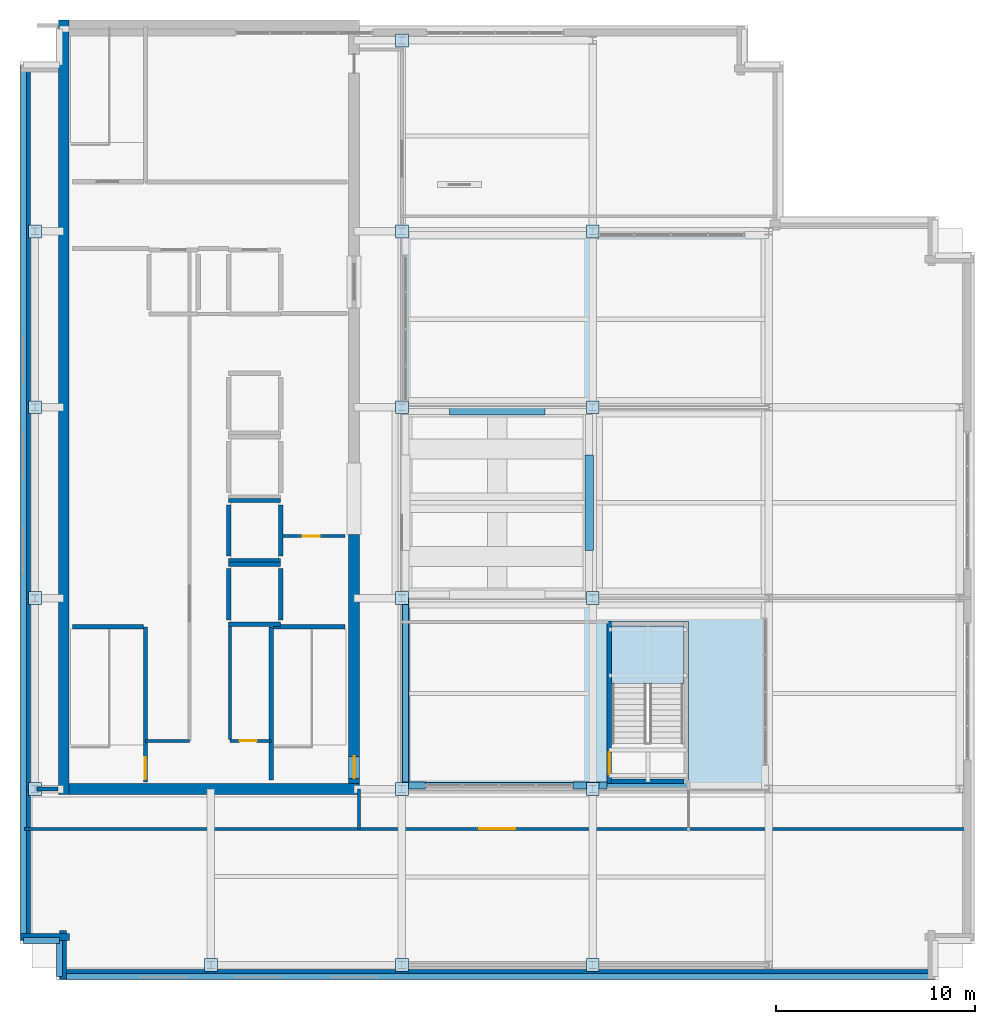
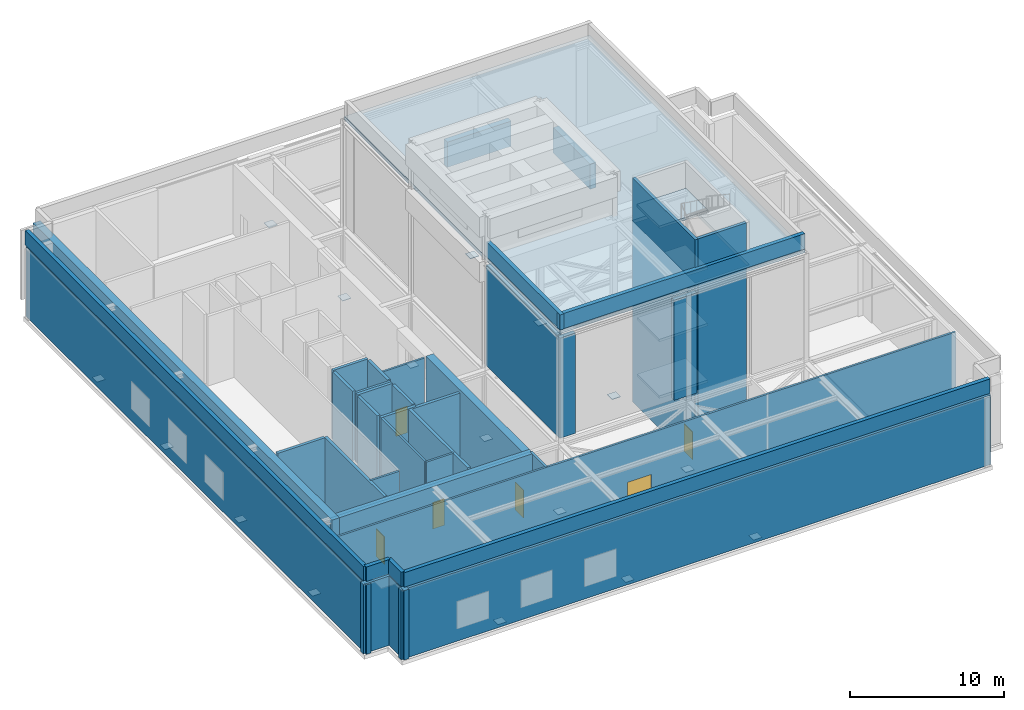
# One storey, part 5 of 17: 37 walls, 18 plates, 6 doors, 5 slabs, 6 openings, 1 element without a shape of its own.
"""IFC4 building model written with IfcOpenShell, lengths in metres."""

import ifcopenshell
import ifcopenshell.guid

model = None  # the IFC model being written
_history = None  # IfcOwnerHistory: only IFC2X3 demands one
_inside = {}  # id of a spatial element -> (the spatial element, [elements in it])
_under = {}  # id of a project, library or spatial element -> (it, [spatial elements below it])
_declared = {}  # id of a project -> (the project, [libraries it declares])
_typed = {}  # id of a type object -> (the type object, [elements of that type])
_made_of = {}  # id of a material, layer set ... -> (it, [elements and type objects made of it])


def new_model(schema):
    """Start an empty IFC model of exactly this schema.

    Asked for "IFC4X3", IfcOpenShell would pick the latest addendum, in which some entities
    have other attributes; the version numbers below select the first issue.
    IFC2X3 requires an IfcOwnerHistory on every rooted entity: one is made here for all.
    """
    global model, _history
    if schema == "IFC4X3":
        model = ifcopenshell.file(schema_version=(4, 3, 0, 0))
    else:
        model = ifcopenshell.file(schema=schema)
    _inside.clear()
    _under.clear()
    _declared.clear()
    _typed.clear()
    _made_of.clear()
    _history = None
    if model.schema == "IFC2X3":
        org = make("IfcOrganization", Name="unknown")
        user = make(
            "IfcPersonAndOrganization",
            ThePerson=make("IfcPerson", FamilyName="unknown"),
            TheOrganization=org,
        )
        app = make(
            "IfcApplication",
            ApplicationDeveloper=org,
            Version="unknown",
            ApplicationFullName="unknown",
            ApplicationIdentifier="unknown",
        )
        _history = make(
            "IfcOwnerHistory",
            OwningUser=user,
            OwningApplication=app,
            ChangeAction="ADDED",
            CreationDate=0,
        )
    return model


def make(cls, **values):
    """One entity of the class cls with the attributes given. An attribute that is None is left unset."""
    return model.create_entity(
        cls, **{name: value for name, value in values.items() if value is not None}
    )


def rooted(cls, **values):
    """An entity with a GlobalId (a new one), such as an element, a storey or a relation."""
    return make(cls, GlobalId=ifcopenshell.guid.new(), OwnerHistory=_history, **values)


def si_unit(unit_type, name, prefix=None):
    """IfcSIUnit, for example si_unit("LENGTHUNIT", "METRE", prefix="MILLI")."""
    return make("IfcSIUnit", UnitType=unit_type, Prefix=prefix, Name=name)


def assignment(units):
    """IfcUnitAssignment: the units of a project."""
    return None if units is None else make("IfcUnitAssignment", Units=units)


def point(xyz):
    """IfcCartesianPoint."""
    return None if xyz is None else make("IfcCartesianPoint", Coordinates=xyz)


def direction(xyz):
    """IfcDirection."""
    return None if xyz is None else make("IfcDirection", DirectionRatios=xyz)


def frame(location, z_axis=None, x_axis=None):
    """IfcAxis2Placement3D, a coordinate frame: its origin and axes. An axis left out is left unset."""
    return make(
        "IfcAxis2Placement3D",
        Location=point(location),
        Axis=direction(z_axis),
        RefDirection=direction(x_axis),
    )


def frame_2d(location, x_axis=None):
    """IfcAxis2Placement2D, a coordinate frame in the plane: its origin and x axis."""
    return make(
        "IfcAxis2Placement2D", Location=point(location), RefDirection=direction(x_axis)
    )


def origin():
    """The frame at (0, 0, 0) with its axes left unset."""
    return frame((0.0, 0.0, 0.0))


def origin_2d():
    """The frame at (0, 0) in the plane with its x axis left unset."""
    return frame_2d((0.0, 0.0))


def place(relative_to, where):
    """IfcLocalPlacement: puts the frame where relative to a parent placement (None: the world)."""
    return make(
        "IfcLocalPlacement", PlacementRelTo=relative_to, RelativePlacement=where
    )


def context(
    kind, dimensions, precision=None, world=None, true_north=None, identifier=None
):
    """IfcGeometricRepresentationContext, for example the 3D "Model" context."""
    return make(
        "IfcGeometricRepresentationContext",
        ContextIdentifier=identifier,
        ContextType=kind,
        CoordinateSpaceDimension=dimensions,
        Precision=precision,
        WorldCoordinateSystem=world,
        TrueNorth=true_north,
    )


def subcontext(parent, identifier, kind, view, scale=None):
    """IfcGeometricRepresentationSubContext, for example "Body" below "Model"."""
    return make(
        "IfcGeometricRepresentationSubContext",
        ContextIdentifier=identifier,
        ContextType=kind,
        ParentContext=parent,
        TargetScale=scale,
        TargetView=view,
    )


def project(units=None, contexts=None):
    """IfcProject with its units and contexts."""
    return rooted(
        "IfcProject",
        Name="project",
        RepresentationContexts=contexts,
        UnitsInContext=assignment(units),
    )


def spatial(cls, under=None, at=None, **own):
    """A site, building, storey or space (cls), placed at a placement, below another one or the project."""
    s = rooted(cls, ObjectPlacement=at, **own)
    if under is not None:
        _under.setdefault(under.id(), (under, []))[1].append(s)
    return s


def polyline(points):
    """IfcPolyline through the points."""
    return make("IfcPolyline", Points=[point(p) for p in points])


def profile(cls, at=None, kind="AREA", **sizes):
    """A parametric profile (cls). Its sizes go by their IFC names, for example OverallWidth=200.0."""
    return make(cls, ProfileType=kind, Position=at, **sizes)


def rectangle(**sizes):
    """IfcRectangleProfileDef."""
    return profile("IfcRectangleProfileDef", **sizes)


def outline(outer, holes=None, kind="AREA"):
    """IfcArbitraryClosedProfileDef: a profile drawn as a closed curve; with holes, ...WithVoids."""
    if holes is None:
        return make("IfcArbitraryClosedProfileDef", ProfileType=kind, OuterCurve=outer)
    return make(
        "IfcArbitraryProfileDefWithVoids",
        ProfileType=kind,
        OuterCurve=outer,
        InnerCurves=holes,
    )


def extrude(swept, where, along, depth):
    """IfcExtrudedAreaSolid: the profile swept, set in the frame where, extruded along a direction by depth."""
    return make(
        "IfcExtrudedAreaSolid",
        SweptArea=swept,
        Position=where,
        ExtrudedDirection=direction(along),
        Depth=depth,
    )


def shape(context_of_items, identifier, shape_type, items):
    """IfcShapeRepresentation: the items that make up one representation, for example the "Body"."""
    return make(
        "IfcShapeRepresentation",
        ContextOfItems=context_of_items,
        RepresentationIdentifier=identifier,
        RepresentationType=shape_type,
        Items=items,
    )


def material(Name=None, Category=None):
    """IfcMaterial."""
    return make("IfcMaterial", Name=Name, Category=Category)


def layer(
    of_material, thickness, ventilated=None, Name=None, Category=None, Priority=None
):
    """IfcMaterialLayer: one layer of a wall or slab, of a material (None: an air gap)."""
    return make(
        "IfcMaterialLayer",
        Material=of_material,
        LayerThickness=thickness,
        IsVentilated=ventilated,
        Name=Name,
        Category=Category,
        Priority=Priority,
    )


def layer_set(layers, Name=None):
    """IfcMaterialLayerSet."""
    return make("IfcMaterialLayerSet", MaterialLayers=layers, LayerSetName=Name)


def made_of(thing, what):
    """Note that an element or type object is made of a material, layer set ...; save() writes the relation."""
    if what is not None:
        _made_of.setdefault(what.id(), (what, []))[1].append(thing)
    return thing


def type_object(cls, material=None, **own):
    """A type object (cls), such as IfcWallType, which elements share."""
    return made_of(rooted(cls, **own), material)


def element(
    cls,
    number,
    at=None,
    inside=None,
    cuts=None,
    type_object=None,
    material=None,
    context=None,
    identifier="Body",
    shape_type=None,
    held_by="IfcProductDefinitionShape",
    body=None,
    shapes=None,
    **own,
):
    """One element of the class cls, such as IfcWall. Its Tag is "e" and its number.

    at: its placement. inside: the storey or other place that contains it. cuts: it is an
    opening in that element (IfcRelVoidsElement). A single representation is given by context,
    identifier, shape_type and body (its items); several are given by shapes. held_by: the class
    of the entity that holds the representations. save() writes the other relations.
    """
    e = rooted(cls, Tag="e%d" % number, ObjectPlacement=at, **own)
    if body is not None:
        shapes = [shape(context, identifier, shape_type, body)]
    if shapes is not None:
        e.Representation = make(held_by, Representations=shapes)
    if inside is not None:
        _inside.setdefault(inside.id(), (inside, []))[1].append(e)
    if cuts is not None:
        rooted(
            "IfcRelVoidsElement", RelatingBuildingElement=cuts, RelatedOpeningElement=e
        )
    if type_object is not None:
        _typed.setdefault(type_object.id(), (type_object, []))[1].append(e)
    return made_of(e, material)


def fill(opening, filler):
    """IfcRelFillsElement: the door or window that sits in an opening."""
    return rooted(
        "IfcRelFillsElement",
        RelatingOpeningElement=opening,
        RelatedBuildingElement=filler,
    )


def aggregate(whole, parts):
    """IfcRelAggregates: a whole, such as a stair, and the parts it consists of."""
    return rooted("IfcRelAggregates", RelatingObject=whole, RelatedObjects=parts)


def save(model, path):
    """Write the relations noted so far, then the file.

    IfcRelAggregates (storeys below a building ...), IfcRelContainedInSpatialStructure (elements
    in a storey), IfcRelDefinesByType, IfcRelAssociatesMaterial and IfcRelDeclares: one each for
    every whole, place, type object, material and project.
    """
    for whole, parts in _under.values():
        aggregate(whole, parts)
    for where, things in _inside.values():
        rooted(
            "IfcRelContainedInSpatialStructure",
            RelatedElements=things,
            RelatingStructure=where,
        )
    for kind, things in _typed.values():
        rooted("IfcRelDefinesByType", RelatedObjects=things, RelatingType=kind)
    for what, things in _made_of.values():
        rooted("IfcRelAssociatesMaterial", RelatedObjects=things, RelatingMaterial=what)
    for by, libraries in _declared.values():
        rooted("IfcRelDeclares", RelatingContext=by, RelatedDefinitions=libraries)
    model.write(path)


model = new_model("IFC4")

# Units and contexts
model_context = context("Model", 3, precision=1e-05, world=origin(), true_north=direction((0.0, 1.0)))
body_context = subcontext(model_context, "Body", "Model", "MODEL_VIEW")
ifc_project = project(units=[si_unit("LENGTHUNIT", "METRE"), si_unit("AREAUNIT", "SQUARE_METRE"), si_unit("VOLUMEUNIT", "CUBIC_METRE"), si_unit("PLANEANGLEUNIT", "RADIAN"), si_unit("MASSUNIT", "GRAM", prefix="KILO")], contexts=[model_context])

# Site, building, storey
site_placement = place(None, origin())
site = spatial("IfcSite", under=ifc_project, at=site_placement, CompositionType="ELEMENT")
building_placement = place(site_placement, origin())
building = spatial("IfcBuilding", under=site, at=building_placement, Name="Norrvale University Quadrangle", CompositionType="ELEMENT")
storey_placement = place(building_placement, frame((0.0, 0.0, 308.0)))
storey = spatial("IfcBuildingStorey", under=building, at=storey_placement, Name="L78", CompositionType="ELEMENT", Elevation=308.0)

# Plates
ifc_material_1 = material(Name="Steel 350W", Category="steel")
ifc_layer_1 = layer(ifc_material_1, 0.0400390625, Name="Steel 350W")
ifc_layer_set_1 = layer_set([ifc_layer_1], Name="Steel 350W")
plate_type_1 = type_object("IfcPlateType", Name="Plate Base Plate 40", PredefinedType="USERDEFINED", material=ifc_layer_set_1)
for number, where, z_axis, x_axis, name in (
    (1, (0.75, 9.60009765625, -0.005126953125), (0.0, 0.0, 1.0), (1.0, 0.0, 0.0), "Crown Column Base Plate 01"),
    (2, (0.75, 19.199951171875, -0.005126953125), (0.0, 0.0, 1.0), (1.0, 0.0, 0.0), "Crown Column Base Plate 02"),
    (3, (0.75, 28.800048828125, -0.005126953125), (0.0, 0.0, 1.0), (1.0, 0.0, 0.0), "Crown Column Base Plate 03"),
    (4, (0.75, 37.64990234375, -0.005126953125), (0.0, 0.0, 1.0), (1.0, 0.0, 0.0), "Crown Column Base Plate 04"),
    (5, (9.60009765625, 0.75, -0.005126953125), (0.0, 0.0, 1.0), (1.0, 0.0, 0.0), "Crown Column Base Plate 05"),
    (6, (19.199951171875, 0.75, -0.005126953125), (0.0, 0.0, 1.0), (1.0, 0.0, 0.0), "Crown Column Base Plate 06"),
    (7, (19.199951171875, 9.60009765625, -0.005126953125), (0.0, 0.0, 1.0), (1.0, 0.0, 0.0), "Crown Column Base Plate 07"),
    (8, (19.199951171875, 19.199951171875, -0.005126953125), (0.0, 0.0, 1.0), (1.0, 0.0, 0.0), "Crown Column Base Plate 08"),
    (9, (19.199951171875, 28.800048828125, -0.005126953125), (0.0, 0.0, 1.0), (1.0, 0.0, 0.0), "Crown Column Base Plate 09"),
    (10, (19.199951171875, 37.64990234375, -0.005126953125), (0.0, 0.0, 1.0), (1.0, 0.0, 0.0), "Crown Column Base Plate 10"),
    (11, (19.199951171875, 47.25, -0.005126953125), (0.0, 0.0, 1.0), (1.0, 0.0, 0.0), "Crown Column Base Plate 11"),
    (12, (28.800048828125, 0.75, -0.005126953125), (0.0, 0.0, 1.0), (1.0, 0.0, 0.0), "Crown Column Base Plate 12"),
    (13, (28.800048828125, 9.60009765625, -0.005126953125), (0.0, 0.0, 1.0), (1.0, 0.0, 0.0), "Crown Column Base Plate 13"),
    (14, (28.800048828125, 19.199951171875, -0.005126953125), (0.0, 0.0, 1.0), (1.0, 0.0, 0.0), "Crown Column Base Plate 14"),
    (15, (28.800048828125, 28.800048828125, -0.005126953125), (0.0, 0.0, 1.0), (1.0, 0.0, 0.0), "Crown Column Base Plate 15"),
    (16, (28.800048828125, 37.64990234375, -0.005126953125), (0.0, 0.0, 1.0), (1.0, 0.0, 0.0), "Crown Column Base Plate 16"),
):
    element("IfcPlate", number, at=place(storey_placement, frame(where, z_axis=z_axis, x_axis=x_axis)), inside=storey, type_object=plate_type_1, Name=name, ObjectType="BASE_PLATE", PredefinedType="USERDEFINED", context=body_context, shape_type="SweptSolid", body=[
        extrude(rectangle(XDim=0.64990234375, YDim=0.64990234375, at=origin_2d()), origin(), (0.0, 0.0, 1.0), 0.0400390625),
    ])
ifc_material_2 = material(Name="Perforated Acoustic Aluminium Screen", Category="aluminium")
ifc_layer_2 = layer(ifc_material_2, 0.06005859375, Name="Perforated Acoustic Aluminium Screen")
ifc_layer_set_2 = layer_set([ifc_layer_2], Name="Perforated Acoustic Aluminium Screen")
plate_type_2 = type_object("IfcPlateType", Name="Plate Crown Screen 60", PredefinedType="USERDEFINED", material=ifc_layer_set_2)
for number, where, z_axis, x_axis, name in (
    (17, (28.6201171875, 24.0, 15.10009765625), (0.0, 0.0, 1.0), (0.0, 1.0, 0.0), "Spire Plinth Architectural Screen E"),
    (18, (24.0, 28.6201171875, 15.10009765625), (0.0, 0.0, 1.0), (1.0, 0.0, 0.0), "Spire Plinth Architectural Screen N"),
):
    element("IfcPlate", number, at=place(storey_placement, frame(where, z_axis=z_axis, x_axis=x_axis)), inside=storey, type_object=plate_type_2, Name=name, ObjectType="CROWN SCREEN", PredefinedType="USERDEFINED", context=body_context, shape_type="SweptSolid", body=[
        extrude(rectangle(XDim=4.800048828125, YDim=0.43994140625, at=origin_2d()), origin(), (0.0, 0.0, 1.0), 2.0),
    ])

# Stair, slabs
ifc_material_3 = material(Name="Concrete C40/50", Category="concrete")
stair_type = type_object("IfcStairType", Name="Stair Tower Crown 5800", PredefinedType="TWO_STRAIGHT_RUN_STAIR", material=ifc_material_3)
stair_placement = place(storey_placement, origin())
stair = element("IfcStair", 19, at=stair_placement, inside=storey, type_object=stair_type, Name="Crown Spire Access Stair ST-04 L78", PredefinedType="TWO_STRAIGHT_RUN_STAIR")
ifc_layer_3 = layer(ifc_material_3, 0.199951171875, Name="Concrete C40/50")
ifc_layer_set_3 = layer_set([ifc_layer_3], Name="Concrete C40/50")
slab_type_1 = type_object("IfcSlabType", Name="Slab Landing 200", PredefinedType="LANDING", material=ifc_layer_set_3)
slab_1_placement = place(storey_placement, frame((0.0, 0.0, 2.050048828125)))
slab_1 = element("IfcSlab", 20, at=slab_1_placement, type_object=slab_type_1, Name="Crown Access Stair ST-04 L78 Landing 1", PredefinedType="LANDING", context=body_context, shape_type="SweptSolid", body=[
    extrude(outline(polyline([(29.75, 14.919921875), (33.39990234375, 14.919921875), (33.39990234375, 17.800048828125), (29.75, 17.800048828125), (29.75, 14.919921875)])), origin(), (0.0, 0.0, 1.0), 0.199951171875),
])
slab_2_placement = place(storey_placement, frame((0.0, 0.0, 6.550048828125)))
slab_2 = element("IfcSlab", 21, at=slab_2_placement, type_object=slab_type_1, Name="Crown Access Stair ST-04 L78 Landing 3", PredefinedType="LANDING", context=body_context, shape_type="SweptSolid", body=[
    extrude(outline(polyline([(29.75, 14.919921875), (33.39990234375, 14.919921875), (33.39990234375, 17.800048828125), (29.75, 17.800048828125), (29.75, 14.919921875)])), origin(), (0.0, 0.0, 1.0), 0.199951171875),
])
slab_3_placement = place(storey_placement, frame((0.0, 0.0, 11.050048828125)))
slab_3 = element("IfcSlab", 22, at=slab_3_placement, type_object=slab_type_1, Name="Crown Access Stair ST-04 L78 Landing 5", PredefinedType="LANDING", context=body_context, shape_type="SweptSolid", body=[
    extrude(outline(polyline([(29.75, 14.919921875), (33.39990234375, 14.919921875), (33.39990234375, 17.800048828125), (29.75, 17.800048828125), (29.75, 14.919921875)])), origin(), (0.0, 0.0, 1.0), 0.199951171875),
])
slab_4_placement = place(storey_placement, frame((0.0, 0.0, 15.550048828125)))
slab_4 = element("IfcSlab", 23, at=slab_4_placement, type_object=slab_type_1, Name="Crown Access Stair ST-04 L78 Landing 7", PredefinedType="LANDING", context=body_context, shape_type="SweptSolid", body=[
    extrude(outline(polyline([(29.75, 14.919921875), (33.39990234375, 14.919921875), (33.39990234375, 17.800048828125), (29.75, 17.800048828125), (29.75, 14.919921875)])), origin(), (0.0, 0.0, 1.0), 0.199951171875),
])
aggregate(stair, [slab_1, slab_2, slab_3, slab_4])

# Slab
ifc_material_4 = material(Name="Concrete C50/60", Category="concrete")
ifc_layer_4 = layer(ifc_material_4, 0.280029296875, Name="Concrete C50/60")
ifc_layer_set_4 = layer_set([ifc_layer_4], Name="Concrete C50/60")
slab_type_2 = type_object("IfcSlabType", Name="Slab Main Roof 280", PredefinedType="ROOF", material=ifc_layer_set_4)
slab_5_placement = place(storey_placement, frame((0.0, 0.0, 14.1201171875)))
element("IfcSlab", 24, at=slab_5_placement, inside=storey, type_object=slab_type_2, Name="Crown Architectural Lantern Roof Slab", PredefinedType="ROOF", context=body_context, shape_type="SweptSolid", body=[
    extrude(outline(polyline([(19.199951171875, 9.60009765625), (37.64990234375, 9.60009765625), (37.64990234375, 37.64990234375), (19.199951171875, 37.64990234375), (19.199951171875, 9.60009765625)]), holes=[polyline([(29.52490234375, 9.875), (33.625, 9.875), (33.625, 18.02490234375), (29.52490234375, 18.02490234375), (29.52490234375, 9.875)])]), origin(), (0.0, 0.0, 1.0), 0.27978515625),
])

# Walls
ifc_material_5 = material(Name="Concrete C60/75", Category="concrete")
ifc_layer_5 = layer(ifc_material_5, 0.550048828125, Name="Concrete C60/75")
ifc_layer_set_5 = layer_set([ifc_layer_5], Name="Concrete C60/75")
wall_type_1 = type_object("IfcWallType", Name="Wall Core 550", PredefinedType="SHEAR", material=ifc_layer_set_5)
wall_1_placement = place(storey_placement, frame((2.47509765625, 9.60009765625, 0.0), z_axis=(0.0, 0.0, 1.0), x_axis=(1.0, 0.0, 0.0)))
element("IfcWall", 25, at=wall_1_placement, inside=storey, type_object=wall_type_1, Name="Tower Core Shear Wall L78-S", PredefinedType="SHEAR", context=body_context, shape_type="SweptSolid", body=[
    extrude(rectangle(XDim=14.599853515625, YDim=0.550048828125, at=frame_2d((7.2998046875, 0.0))), origin(), (0.0, 0.0, 1.0), 5.52001953125),
])
wall_2_placement = place(storey_placement, frame((2.199951171875, 9.324951171875, 0.0), z_axis=(0.0, 0.0, 1.0), x_axis=(0.0, 1.0, 0.0)))
element("IfcWall", 26, at=wall_2_placement, inside=storey, type_object=wall_type_1, Name="Tower Core Shear Wall L78-W", PredefinedType="SHEAR", context=body_context, shape_type="SweptSolid", body=[
    extrude(rectangle(XDim=38.949951171875, YDim=0.550048828125, at=frame_2d((19.47509765625, 0.0))), origin(), (0.0, 0.0, 1.0), 5.52001953125),
])

# Wall, opening, door
wall_3_placement = place(storey_placement, frame((16.800048828125, 9.875, 0.0), z_axis=(0.0, 0.0, 1.0), x_axis=(0.0, 1.0, 0.0)))
wall_3 = element("IfcWall", 27, at=wall_3_placement, inside=storey, type_object=wall_type_1, Name="Tower Core Shear Wall L78-E1", PredefinedType="SHEAR", context=body_context, shape_type="SweptSolid", body=[
    extrude(rectangle(XDim=12.52490234375, YDim=0.550048828125, at=frame_2d((6.262451171875, 0.0))), origin(), (0.0, 0.0, 1.0), 5.52001953125),
])
opening_1_placement = place(wall_3_placement, frame((0.264892578125, 0.0, 0.0)))
opening_1 = element("IfcOpeningElement", 28, at=opening_1_placement, cuts=wall_3, Name="Opening D02", PredefinedType="OPENING", context=body_context, shape_type="SweptSolid", body=[
    extrude(rectangle(XDim=1.10009765625, YDim=2.199951171875, at=frame_2d((0.550048828125, 1.10009765625))), frame((0.0, 0.287109375, 0.0), z_axis=(0.0, -1.0, 0.0), x_axis=(1.0, 0.0, 0.0)), (0.0, 0.0, 1.0), 0.573974609375),
])
ifc_material_6 = material(Name="Hollow Steel 350W Fire Door", Category="steel")
door_type_1 = type_object("IfcDoorType", Name="Door Stair Exit 1100x2200", OperationType="NOTDEFINED", PredefinedType="DOOR", material=ifc_material_6)
door_1_placement = place(opening_1_placement, origin())
door_1 = element("IfcDoor", 29, at=door_1_placement, inside=storey, type_object=door_type_1, Name="Door Stair Exit 1100x2200 DR-L78-ST03", OperationType="SINGLE_SWING_LEFT", OverallHeight=2.199951171875, OverallWidth=1.10009765625, PredefinedType="DOOR", context=body_context, shape_type="SweptSolid", body=[
    extrude(rectangle(XDim=1.10009765625, YDim=2.199951171875, at=frame_2d((0.550048828125, 1.10009765625))), frame((0.0, 0.02490234375, 0.0), z_axis=(0.0, -1.0, 0.0), x_axis=(1.0, 0.0, 0.0)), (0.0, 0.0, 1.0), 0.050048828125),
])
fill(opening_1, door_1)

# Walls
ifc_material_7 = material(Name="Red Manganese Brick Masonry", Category="masonry")
ifc_layer_6 = layer(ifc_material_7, 0.360107421875, Name="Red Manganese Brick Masonry")
ifc_layer_set_6 = layer_set([ifc_layer_6], Name="Red Manganese Brick Masonry")
wall_type_2 = type_object("IfcWallType", Name="Wall Crown Brick 360", PredefinedType="SOLIDWALL", material=ifc_layer_set_6)
for number, where, z_axis, x_axis, name in (
    (30, (1.840087890625, 0.360107421875, 0.0), (0.0, 0.0, 1.0), (1.0, 0.0, 0.0), "Exterior Brick Facade Wall L78-01.1"),
    (31, (0.360107421875, 46.159912109375, 0.0), (0.0, 0.0, 1.0), (0.0, -1.0, 0.0), "Exterior Brick Facade Wall L78-14.1"),
):
    element("IfcWall", number, at=place(storey_placement, frame(where, z_axis=z_axis, x_axis=x_axis)), inside=storey, type_object=wall_type_2, Name=name, PredefinedType="SOLIDWALL", context=body_context, shape_type="SweptSolid", body=[
        extrude(rectangle(XDim=44.31982421875, YDim=0.360107421875, at=frame_2d((22.159912109375, 0.0))), origin(), (0.0, 0.0, 1.0), 5.52001953125),
    ])
for number, where, z_axis, x_axis, name in (
    (32, (0.0400390625, 2.159912109375, 0.0), (0.0, 0.0, 1.0), (1.0, 0.0, 0.0), "Exterior Brick Facade Wall L78-15.1"),
    (33, (2.159912109375, 2.47998046875, 0.0), (0.0, 0.0, 1.0), (0.0, -1.0, 0.0), "Exterior Brick Facade Wall L78-16.1"),
):
    element("IfcWall", number, at=place(storey_placement, frame(where, z_axis=z_axis, x_axis=x_axis)), inside=storey, type_object=wall_type_2, Name=name, PredefinedType="SOLIDWALL", context=body_context, shape_type="SweptSolid", body=[
        extrude(rectangle(XDim=2.43994140625, YDim=0.360107421875, at=frame_2d((1.219970703125, 0.0))), origin(), (0.0, 0.0, 1.0), 5.52001953125),
    ])
wall_4_placement = place(storey_placement, frame((19.199951171875, 9.780029296875, 5.800048828125), z_axis=(0.0, 0.0, 1.0), x_axis=(1.0, 0.0, 0.0)))
element("IfcWall", 34, at=wall_4_placement, inside=storey, type_object=wall_type_2, Name="Crown Lantern Brick Pier S1", PredefinedType="SOLIDWALL", context=body_context, shape_type="SweptSolid", body=[
    extrude(rectangle(XDim=1.199951171875, YDim=0.360107421875, at=frame_2d((0.60009765625, 0.0))), origin(), (0.0, 0.0, 1.0), 7.9638671875),
])
wall_5_placement = place(storey_placement, frame((27.800048828125, 9.780029296875, 5.800048828125), z_axis=(0.0, 0.0, 1.0), x_axis=(1.0, 0.0, 0.0)))
element("IfcWall", 35, at=wall_5_placement, inside=storey, type_object=wall_type_2, Name="Crown Lantern Brick Pier S2A", PredefinedType="SOLIDWALL", context=body_context, shape_type="SweptSolid", body=[
    extrude(rectangle(XDim=1.719970703125, YDim=0.360107421875, at=frame_2d((0.85986328125, 0.0))), origin(), (0.0, 0.0, 1.0), 7.9638671875),
])
wall_6_placement = place(storey_placement, frame((19.3798828125, 19.199951171875, 5.800048828125), z_axis=(0.0, 0.0, 1.0), x_axis=(0.0, -1.0, 0.0)))
element("IfcWall", 36, at=wall_6_placement, inside=storey, type_object=wall_type_2, Name="Crown Lantern Brick Pier W2 B2", PredefinedType="SOLIDWALL", context=body_context, shape_type="SweptSolid", body=[
    extrude(rectangle(XDim=9.599853515625, YDim=0.360107421875, at=frame_2d((4.7998046875, 0.0))), origin(), (0.0, 0.0, 1.0), 7.9638671875),
])

# Wall, opening, door
ifc_material_8 = material(Name="Fire-Rated Gypsum Stud Partition")
ifc_layer_7 = layer(ifc_material_8, 0.14990234375, Name="Fire-Rated Gypsum Stud Partition")
ifc_layer_set_7 = layer_set([ifc_layer_7], Name="Fire-Rated Gypsum Stud Partition")
wall_type_3 = type_object("IfcWallType", Name="Wall Gypsum Corridor 150", PredefinedType="PARTITIONING", material=ifc_layer_set_7)
wall_7_placement = place(storey_placement, frame((10.550048828125, 12.02001953125, 0.0), z_axis=(0.0, 0.0, 1.0), x_axis=(1.0, 0.0, 0.0)))
wall_7 = element("IfcWall", 37, at=wall_7_placement, inside=storey, type_object=wall_type_3, Name="Interior Partition WL-L78-SC-NR", PredefinedType="PARTITIONING", context=body_context, shape_type="SweptSolid", body=[
    extrude(rectangle(XDim=2.079833984375, YDim=0.14990234375, at=frame_2d((1.0400390625, 0.0))), origin(), (0.0, 0.0, 1.0), 5.52001953125),
])
opening_2_placement = place(wall_7_placement, frame((0.5, 0.0, 0.0)))
opening_2 = element("IfcOpeningElement", 38, at=opening_2_placement, cuts=wall_7, Name="Opening D10", PredefinedType="OPENING", context=body_context, shape_type="SweptSolid", body=[
    extrude(rectangle(XDim=0.85009765625, YDim=2.10009765625, at=frame_2d((0.425048828125, 1.050048828125))), frame((0.0, 0.0869140625, 0.0), z_axis=(0.0, -1.0, 0.0), x_axis=(1.0, 0.0, 0.0)), (0.0, 0.0, 1.0), 0.173828125),
])
ifc_material_9 = material(Name="Hollow Steel 350W Riser Fire Door", Category="steel")
door_type_2 = type_object("IfcDoorType", Name="Door Riser 850x2100", OperationType="NOTDEFINED", PredefinedType="DOOR", material=ifc_material_9)
door_2_placement = place(opening_2_placement, origin())
door_2 = element("IfcDoor", 39, at=door_2_placement, inside=storey, type_object=door_type_2, Name="Door Riser 850x2100 DR-L78-IDF", OperationType="SINGLE_SWING_RIGHT", OverallHeight=2.10009765625, OverallWidth=0.85009765625, PredefinedType="DOOR", context=body_context, shape_type="SweptSolid", body=[
    extrude(rectangle(XDim=0.85009765625, YDim=2.10009765625, at=frame_2d((0.425048828125, 1.050048828125))), frame((0.0, 0.02490234375, 0.0), z_axis=(0.0, -1.0, 0.0), x_axis=(1.0, 0.0, 0.0)), (0.0, 0.0, 1.0), 0.050048828125),
])
fill(opening_2, door_2)

# Wall
wall_8_placement = place(storey_placement, frame((10.550048828125, 12.094970703125, 0.0), z_axis=(0.0, 0.0, 1.0), x_axis=(0.0, 1.0, 0.0)))
element("IfcWall", 40, at=wall_8_placement, inside=storey, type_object=wall_type_3, Name="Interior Partition WL-L78-SC-WR", PredefinedType="PARTITIONING", context=body_context, shape_type="SweptSolid", body=[
    extrude(rectangle(XDim=5.679931640625, YDim=0.14990234375, at=frame_2d((2.83984375, 0.0))), origin(), (0.0, 0.0, 1.0), 5.52001953125),
])

# Wall, opening, door
wall_9_placement = place(storey_placement, frame((13.22509765625, 22.320068359375, 0.0), z_axis=(0.0, 0.0, 1.0), x_axis=(1.0, 0.0, 0.0)))
wall_9 = element("IfcWall", 41, at=wall_9_placement, inside=storey, type_object=wall_type_3, Name="Interior Partition WL-L78-JAN-N", PredefinedType="PARTITIONING", context=body_context, shape_type="SweptSolid", body=[
    extrude(rectangle(XDim=3.119873046875, YDim=0.14990234375, at=frame_2d((1.56005859375, 0.0))), origin(), (0.0, 0.0, 1.0), 5.52001953125),
])
opening_3_placement = place(wall_9_placement, frame((1.0, 0.0, 0.0)))
opening_3 = element("IfcOpeningElement", 42, at=opening_3_placement, cuts=wall_9, Name="Opening D10", PredefinedType="OPENING", context=body_context, shape_type="SweptSolid", body=[
    extrude(rectangle(XDim=0.85009765625, YDim=2.10009765625, at=frame_2d((0.425048828125, 1.050048828125))), frame((0.0, 0.0869140625, 0.0), z_axis=(0.0, -1.0, 0.0), x_axis=(1.0, 0.0, 0.0)), (0.0, 0.0, 1.0), 0.173828125),
])
door_3_placement = place(opening_3_placement, origin())
door_3 = element("IfcDoor", 43, at=door_3_placement, inside=storey, type_object=door_type_2, Name="Door Riser 850x2100 DR-L78-JAN", OperationType="SINGLE_SWING_LEFT", OverallHeight=2.10009765625, OverallWidth=0.85009765625, PredefinedType="DOOR", context=body_context, shape_type="SweptSolid", body=[
    extrude(rectangle(XDim=0.85009765625, YDim=2.10009765625, at=frame_2d((0.425048828125, 1.050048828125))), frame((0.0, 0.02490234375, 0.0), z_axis=(0.0, -1.0, 0.0), x_axis=(1.0, 0.0, 0.0)), (0.0, 0.0, 1.0), 0.050048828125),
])
fill(opening_3, door_3)

# Walls
wall_10_placement = place(storey_placement, frame((6.320068359375, 12.02001953125, 0.0), z_axis=(0.0, 0.0, 1.0), x_axis=(1.0, 0.0, 0.0)))
element("IfcWall", 44, at=wall_10_placement, inside=storey, type_object=wall_type_3, Name="Interior Partition WL-L78-REC-S", PredefinedType="PARTITIONING", context=body_context, shape_type="SweptSolid", body=[
    extrude(rectangle(XDim=2.199951171875, YDim=0.14990234375, at=frame_2d((1.10009765625, 0.0))), origin(), (0.0, 0.0, 1.0), 5.52001953125),
])
wall_11_placement = place(storey_placement, frame((17.050048828125, 7.60009765625, 0.0), z_axis=(0.0, 0.0, 1.0), x_axis=(0.0, 1.0, 0.0)))
element("IfcWall", 45, at=wall_11_placement, inside=storey, type_object=wall_type_3, Name="Interior Partition WL-L78-PCS", PredefinedType="PARTITIONING", context=body_context, shape_type="SweptSolid", body=[
    extrude(rectangle(XDim=2.0, YDim=0.14990234375, at=frame_2d((1.0, 0.0))), origin(), (0.0, 0.0, 1.0), 5.52001953125),
])

# Wall, opening, door
wall_12_placement = place(storey_placement, frame((0.219970703125, 7.60009765625, 0.0), z_axis=(0.0, 0.0, 1.0), x_axis=(1.0, 0.0, 0.0)))
wall_12 = element("IfcWall", 46, at=wall_12_placement, inside=storey, type_object=wall_type_3, Name="Interior Partition WL-L78-PMPN", PredefinedType="PARTITIONING", context=body_context, shape_type="SweptSolid", body=[
    extrude(rectangle(XDim=47.56005859375, YDim=0.14990234375, at=frame_2d((23.780029296875, 0.0))), origin(), (0.0, 0.0, 1.0), 5.52001953125),
])
opening_4_placement = place(wall_12_placement, frame((22.8798828125, 0.0, 0.0)))
opening_4 = element("IfcOpeningElement", 47, at=opening_4_placement, cuts=wall_12, Name="Opening D03", PredefinedType="OPENING", context=body_context, shape_type="SweptSolid", body=[
    extrude(rectangle(XDim=1.800048828125, YDim=2.199951171875, at=frame_2d((0.89990234375, 1.10009765625))), frame((0.0, 0.0869140625, 0.0), z_axis=(0.0, -1.0, 0.0), x_axis=(1.0, 0.0, 0.0)), (0.0, 0.0, 1.0), 0.173828125),
])
door_type_3 = type_object("IfcDoorType", Name="Door Fire Lobby 1800x2200", OperationType="DOUBLE_DOOR_SINGLE_SWING", PredefinedType="DOOR", material=ifc_material_6)
door_4_placement = place(opening_4_placement, origin())
door_4 = element("IfcDoor", 48, at=door_4_placement, inside=storey, type_object=door_type_3, Name="Door Fire Lobby 1800x2200 DR-L78-PMP", OperationType="DOUBLE_DOOR_SINGLE_SWING", OverallHeight=2.199951171875, OverallWidth=1.800048828125, PredefinedType="DOOR", context=body_context, shape_type="SweptSolid", body=[
    extrude(rectangle(XDim=1.800048828125, YDim=2.199951171875, at=frame_2d((0.89990234375, 1.10009765625))), frame((0.0, 0.02490234375, 0.0), z_axis=(0.0, -1.0, 0.0), x_axis=(1.0, 0.0, 0.0)), (0.0, 0.0, 1.0), 0.050048828125),
])
fill(opening_4, door_4)

# Walls
ifc_material_10 = material(Name="Concrete Blockwork 20 MPa Rated Wall", Category="masonry")
ifc_layer_8 = layer(ifc_material_10, 0.199951171875, Name="Concrete Blockwork 20 MPa Rated Wall")
ifc_layer_set_8 = layer_set([ifc_layer_8], Name="Concrete Blockwork 20 MPa Rated Wall")
wall_type_4 = type_object("IfcWallType", Name="Wall Lobby 200", PredefinedType="SOLIDWALL", material=ifc_layer_set_8)
wall_13_placement = place(storey_placement, frame((0.85009765625, 9.60009765625, 0.0), z_axis=(0.0, 0.0, 1.0), x_axis=(1.0, 0.0, 0.0)))
element("IfcWall", 49, at=wall_13_placement, inside=storey, type_object=wall_type_4, Name="Interior Partition WL-L78-CWRET-S", PredefinedType="SOLIDWALL", context=body_context, shape_type="SweptSolid", body=[
    extrude(rectangle(XDim=1.06982421875, YDim=0.199951171875, at=frame_2d((0.534912109375, 0.0))), origin(), (0.0, 0.0, 1.0), 5.1640625),
])
ifc_material_11 = material(Name="Buff Norman Clay Brick Masonry", Category="masonry")
ifc_layer_9 = layer(ifc_material_11, 0.300048828125, Name="Buff Norman Clay Brick Masonry")
ifc_layer_set_9 = layer_set([ifc_layer_9], Name="Buff Norman Clay Brick Masonry")
wall_type_5 = type_object("IfcWallType", Name="Wall Parapet 300", PredefinedType="PARAPET", material=ifc_layer_set_9)
for number, where, z_axis, x_axis, name in (
    (50, (1.97998046875, 0.179931640625, 5.800048828125), (0.0, 0.0, 1.0), (1.0, 0.0, 0.0), "Crown Lower Deck Parapet 01"),
    (51, (0.179931640625, 46.02001953125, 5.800048828125), (0.0, 0.0, 1.0), (0.0, -1.0, 0.0), "Crown Lower Deck Parapet 14"),
):
    element("IfcWall", number, at=place(storey_placement, frame(where, z_axis=z_axis, x_axis=x_axis)), inside=storey, type_object=wall_type_5, Name=name, PredefinedType="PARAPET", context=body_context, shape_type="SweptSolid", body=[
        extrude(rectangle(XDim=44.0400390625, YDim=0.300048828125, at=frame_2d((22.02001953125, 0.0))), origin(), (0.0, 0.0, 1.0), 1.14990234375),
    ])
for number, where, z_axis, x_axis, name in (
    (52, (0.179931640625, 1.97998046875, 5.800048828125), (0.0, 0.0, 1.0), (1.0, 0.0, 0.0), "Crown Lower Deck Parapet 15"),
    (53, (1.97998046875, 1.97998046875, 5.800048828125), (0.0, 0.0, 1.0), (0.0, -1.0, 0.0), "Crown Lower Deck Parapet 16"),
):
    element("IfcWall", number, at=place(storey_placement, frame(where, z_axis=z_axis, x_axis=x_axis)), inside=storey, type_object=wall_type_5, Name=name, PredefinedType="PARAPET", context=body_context, shape_type="SweptSolid", body=[
        extrude(rectangle(XDim=1.800048828125, YDim=0.300048828125, at=frame_2d((0.89990234375, 0.0))), origin(), (0.0, 0.0, 1.0), 1.14990234375),
    ])
wall_14_placement = place(storey_placement, frame((19.199951171875, 9.780029296875, 14.39990234375), z_axis=(0.0, 0.0, 1.0), x_axis=(1.0, 0.0, 0.0)))
element("IfcWall", 54, at=wall_14_placement, inside=storey, type_object=wall_type_5, Name="Crown Lantern Parapet S", PredefinedType="PARAPET", context=body_context, shape_type="SweptSolid", body=[
    extrude(rectangle(XDim=18.449951171875, YDim=0.300048828125, at=frame_2d((9.22509765625, 0.0))), origin(), (0.0, 0.0, 1.0), 1.2001953125),
])
wall_15_placement = place(storey_placement, frame((19.3798828125, 19.195068359375, 14.39990234375), z_axis=(0.0, 0.0, 1.0), x_axis=(0.0, -1.0, 0.0)))
element("IfcWall", 55, at=wall_15_placement, inside=storey, type_object=wall_type_5, Name="Crown Lantern Parapet W2", PredefinedType="PARAPET", context=body_context, shape_type="SweptSolid", body=[
    extrude(rectangle(XDim=9.594970703125, YDim=0.300048828125, at=frame_2d((4.79736328125, 0.0))), origin(), (0.0, 0.0, 1.0), 1.2001953125),
])

# Wall, opening, door
ifc_material_12 = material(Name="Concrete Blockwork 20 MPa Fire Shaft", Category="masonry")
ifc_layer_10 = layer(ifc_material_12, 0.219970703125, Name="Concrete Blockwork 20 MPa Fire Shaft")
ifc_layer_set_10 = layer_set([ifc_layer_10], Name="Concrete Blockwork 20 MPa Fire Shaft")
wall_type_6 = type_object("IfcWallType", Name="Wall Shaft 220", PredefinedType="SOLIDWALL", material=ifc_layer_set_10)
wall_16_placement = place(storey_placement, frame((6.31005859375, 9.949951171875, 0.0), z_axis=(0.0, 0.0, 1.0), x_axis=(0.0, 1.0, 0.0)))
wall_16 = element("IfcWall", 56, at=wall_16_placement, inside=storey, type_object=wall_type_6, Name="Stair ST-01 East Shaft Wall L78", PredefinedType="SOLIDWALL", context=body_context, shape_type="SweptSolid", body=[
    extrude(rectangle(XDim=7.81005859375, YDim=0.219970703125, at=frame_2d((3.905029296875, 0.0))), origin(), (0.0, 0.0, 1.0), 5.52001953125),
])
opening_5_placement = place(wall_16_placement, frame((0.139892578125, 0.0, 0.0)))
opening_5 = element("IfcOpeningElement", 57, at=opening_5_placement, cuts=wall_16, Name="Opening D02", PredefinedType="OPENING", context=body_context, shape_type="SweptSolid", body=[
    extrude(rectangle(XDim=1.10009765625, YDim=2.199951171875, at=frame_2d((0.550048828125, 1.10009765625))), frame((0.0, 0.1220703125, 0.0), z_axis=(0.0, -1.0, 0.0), x_axis=(1.0, 0.0, 0.0)), (0.0, 0.0, 1.0), 0.243896484375),
])
door_5_placement = place(opening_5_placement, origin())
door_5 = element("IfcDoor", 58, at=door_5_placement, inside=storey, type_object=door_type_1, Name="Door Stair Exit 1100x2200 DR-L78-ST01", OperationType="SINGLE_SWING_LEFT", OverallHeight=2.199951171875, OverallWidth=1.10009765625, PredefinedType="DOOR", context=body_context, shape_type="SweptSolid", body=[
    extrude(rectangle(XDim=1.10009765625, YDim=2.199951171875, at=frame_2d((0.550048828125, 1.10009765625))), frame((0.0, 0.02490234375, 0.0), z_axis=(0.0, -1.0, 0.0), x_axis=(1.0, 0.0, 0.0)), (0.0, 0.0, 1.0), 0.050048828125),
])
fill(opening_5, door_5)

# Walls
wall_17_placement = place(storey_placement, frame((2.64990234375, 17.760009765625, 0.0), z_axis=(0.0, 0.0, 1.0), x_axis=(1.0, 0.0, 0.0)))
element("IfcWall", 59, at=wall_17_placement, inside=storey, type_object=wall_type_6, Name="Stair ST-01 North Shaft Wall L78", PredefinedType="SOLIDWALL", context=body_context, shape_type="SweptSolid", body=[
    extrude(rectangle(XDim=3.550048828125, YDim=0.219970703125, at=frame_2d((1.77490234375, 0.0))), origin(), (0.0, 0.0, 1.0), 5.52001953125),
])
wall_18_placement = place(storey_placement, frame((12.639892578125, 10.050048828125, 0.0), z_axis=(0.0, 0.0, 1.0), x_axis=(0.0, 1.0, 0.0)))
element("IfcWall", 60, at=wall_18_placement, inside=storey, type_object=wall_type_6, Name="Stair ST-03 West Shaft Wall L78", PredefinedType="SOLIDWALL", context=body_context, shape_type="SweptSolid", body=[
    extrude(rectangle(XDim=7.7099609375, YDim=0.219970703125, at=frame_2d((3.85498046875, 0.0))), origin(), (0.0, 0.0, 1.0), 5.52001953125),
])
wall_19_placement = place(storey_placement, frame((12.75, 17.760009765625, 0.0), z_axis=(0.0, 0.0, 1.0), x_axis=(1.0, 0.0, 0.0)))
element("IfcWall", 61, at=wall_19_placement, inside=storey, type_object=wall_type_6, Name="Stair ST-03 North Shaft Wall L78", PredefinedType="SOLIDWALL", context=body_context, shape_type="SweptSolid", body=[
    extrude(rectangle(XDim=3.60009765625, YDim=0.219970703125, at=frame_2d((1.800048828125, 0.0))), origin(), (0.0, 0.0, 1.0), 5.52001953125),
])
wall_20_placement = place(storey_placement, frame((29.75, 9.989990234375, 0.0), z_axis=(0.0, 0.0, 1.0), x_axis=(1.0, 0.0, 0.0)))
element("IfcWall", 62, at=wall_20_placement, inside=storey, type_object=wall_type_6, Name="Stair ST-04 South Shaft Wall L78", PredefinedType="SOLIDWALL", context=body_context, shape_type="SweptSolid", body=[
    extrude(rectangle(XDim=3.64990234375, YDim=0.219970703125, at=frame_2d((1.824951171875, 0.0))), origin(), (0.0, 0.0, 1.0), 17.800048828125),
])

# Wall, opening, door
wall_21_placement = place(storey_placement, frame((29.639892578125, 9.8798828125, 0.0), z_axis=(0.0, 0.0, 1.0), x_axis=(0.0, 1.0, 0.0)))
wall_21 = element("IfcWall", 63, at=wall_21_placement, inside=storey, type_object=wall_type_6, Name="Stair ST-04 West Shaft Wall L78", PredefinedType="SOLIDWALL", context=body_context, shape_type="SweptSolid", body=[
    extrude(rectangle(XDim=8.14013671875, YDim=0.219970703125, at=frame_2d((4.070068359375, 0.0))), origin(), (0.0, 0.0, 1.0), 17.800048828125),
])
opening_6_placement = place(wall_21_placement, frame((0.469970703125, 0.0, 0.0)))
opening_6 = element("IfcOpeningElement", 64, at=opening_6_placement, cuts=wall_21, Name="Opening D02", PredefinedType="OPENING", context=body_context, shape_type="SweptSolid", body=[
    extrude(rectangle(XDim=1.10009765625, YDim=2.199951171875, at=frame_2d((0.550048828125, 1.10009765625))), frame((0.0, 0.1220703125, 0.0), z_axis=(0.0, -1.0, 0.0), x_axis=(1.0, 0.0, 0.0)), (0.0, 0.0, 1.0), 0.243896484375),
])
door_6_placement = place(opening_6_placement, frame((1.10009765625, 0.0, 0.0), z_axis=(0.0, 0.0, 1.0), x_axis=(-1.0, 0.0, 0.0)))
door_6 = element("IfcDoor", 65, at=door_6_placement, inside=storey, type_object=door_type_1, Name="Door Stair Exit 1100x2200 DR-L78-ST04", OperationType="SINGLE_SWING_RIGHT", OverallHeight=2.199951171875, OverallWidth=1.10009765625, PredefinedType="DOOR", context=body_context, shape_type="SweptSolid", body=[
    extrude(rectangle(XDim=1.10009765625, YDim=2.199951171875, at=frame_2d((0.550048828125, 1.10009765625))), frame((0.0, 0.02490234375, 0.0), z_axis=(0.0, -1.0, 0.0), x_axis=(1.0, 0.0, 0.0)), (0.0, 0.0, 1.0), 0.050048828125),
])
fill(opening_6, door_6)

# Walls
for number, where, z_axis, x_axis, name in (
    (66, (10.489990234375, 18.110107421875, 0.0), (0.0, 0.0, 1.0), (0.0, 1.0, 0.0), "Hoistway PL-05 West Wall L78"),
    (67, (13.110107421875, 18.110107421875, 0.0), (0.0, 0.0, 1.0), (0.0, 1.0, 0.0), "Hoistway PL-05 East Wall L78"),
):
    element("IfcWall", number, at=place(storey_placement, frame(where, z_axis=z_axis, x_axis=x_axis)), inside=storey, type_object=wall_type_6, Name=name, PredefinedType="SOLIDWALL", context=body_context, shape_type="SweptSolid", body=[
        extrude(rectangle(XDim=2.579833984375, YDim=0.219970703125, at=frame_2d((1.2900390625, 0.0))), origin(), (0.0, 0.0, 1.0), 5.52001953125),
    ])
for number, where, z_axis, x_axis, name in (
    (68, (10.489990234375, 17.889892578125, 0.0), (0.0, 0.0, 1.0), (1.0, 0.0, 0.0), "Hoistway PL-05 South Wall L78"),
    (69, (10.489990234375, 20.909912109375, 0.0), (0.0, 0.0, 1.0), (1.0, 0.0, 0.0), "Hoistway PL-05 North Wall L78"),
):
    element("IfcWall", number, at=place(storey_placement, frame(where, z_axis=z_axis, x_axis=x_axis)), inside=storey, type_object=wall_type_6, Name=name, PredefinedType="SOLIDWALL", context=body_context, shape_type="SweptSolid", body=[
        extrude(rectangle(XDim=2.6201171875, YDim=0.219970703125, at=frame_2d((1.31005859375, 0.0))), origin(), (0.0, 0.0, 1.0), 5.52001953125),
    ])
for number, where, z_axis, x_axis, name in (
    (70, (10.489990234375, 21.31005859375, 0.0), (0.0, 0.0, 1.0), (0.0, 1.0, 0.0), "Hoistway PL-06 West Wall L78"),
    (71, (13.110107421875, 21.31005859375, 0.0), (0.0, 0.0, 1.0), (0.0, 1.0, 0.0), "Hoistway PL-06 East Wall L78"),
):
    element("IfcWall", number, at=place(storey_placement, frame(where, z_axis=z_axis, x_axis=x_axis)), inside=storey, type_object=wall_type_6, Name=name, PredefinedType="SOLIDWALL", context=body_context, shape_type="SweptSolid", body=[
        extrude(rectangle(XDim=2.579833984375, YDim=0.219970703125, at=frame_2d((1.2900390625, 0.0))), origin(), (0.0, 0.0, 1.0), 5.52001953125),
    ])
for number, where, z_axis, x_axis, name in (
    (72, (10.489990234375, 21.090087890625, 0.0), (0.0, 0.0, 1.0), (1.0, 0.0, 0.0), "Hoistway PL-06 South Wall L78"),
    (73, (10.489990234375, 24.110107421875, 0.0), (0.0, 0.0, 1.0), (1.0, 0.0, 0.0), "Hoistway PL-06 North Wall L78"),
):
    element("IfcWall", number, at=place(storey_placement, frame(where, z_axis=z_axis, x_axis=x_axis)), inside=storey, type_object=wall_type_6, Name=name, PredefinedType="SOLIDWALL", context=body_context, shape_type="SweptSolid", body=[
        extrude(rectangle(XDim=2.6201171875, YDim=0.219970703125, at=frame_2d((1.31005859375, 0.0))), origin(), (0.0, 0.0, 1.0), 5.52001953125),
    ])

save(model, "model.ifc")
